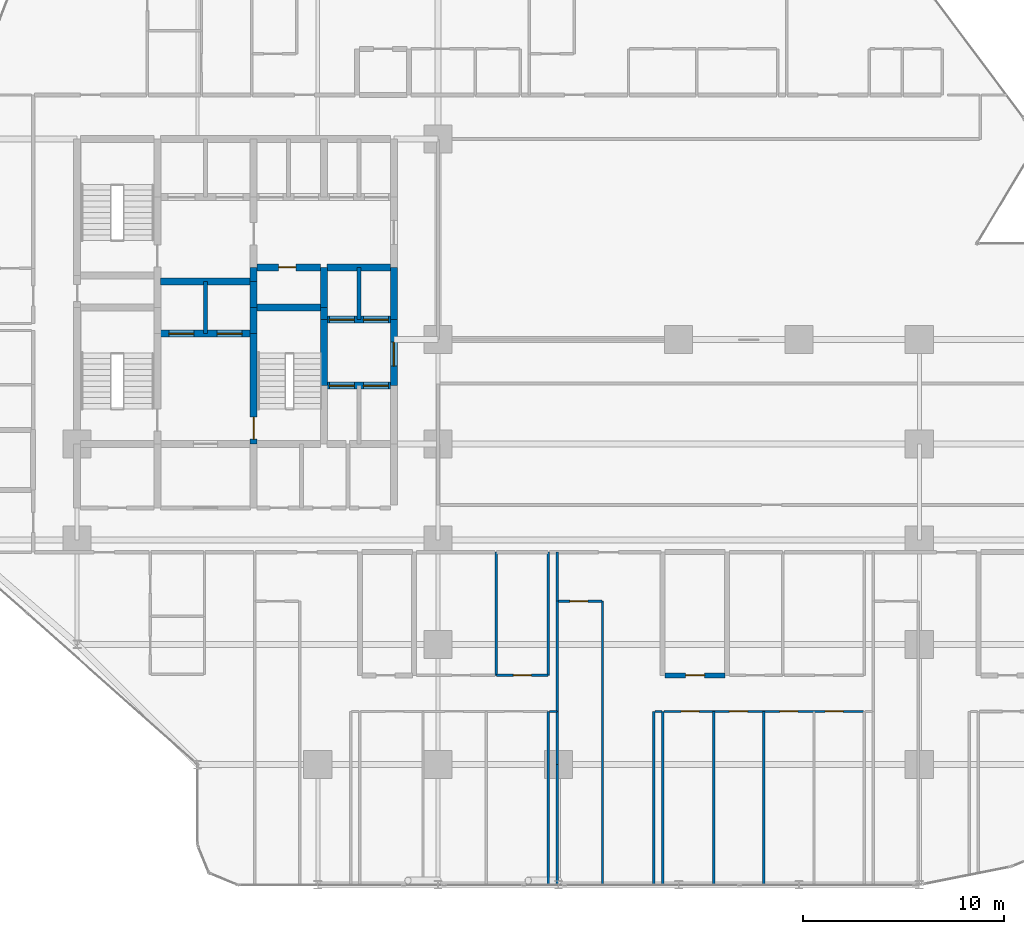
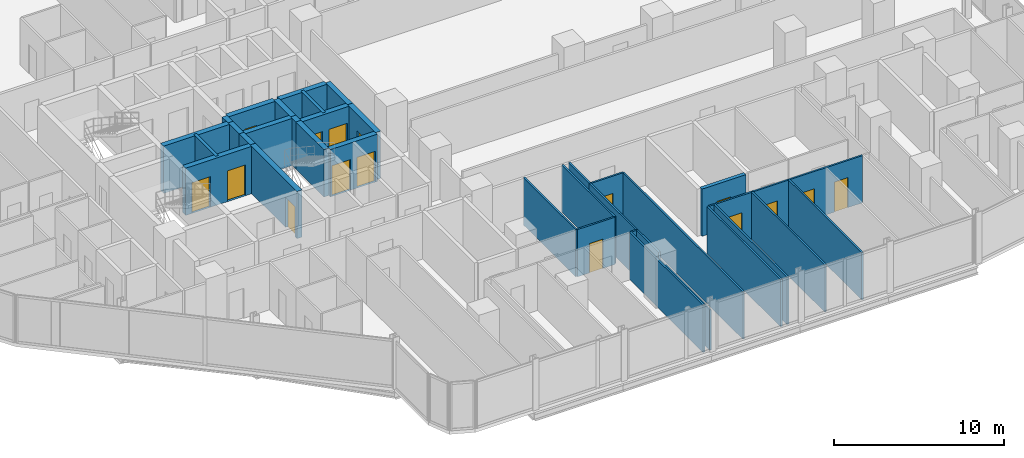
# One storey, part 28 of 33: 36 walls, 16 doors, 16 openings.
"""IFC4 building model written with IfcOpenShell, lengths in metres."""

from ifc_helpers import new_model, si_unit, direction, frame, frame_2d, origin, place, context, subcontext, project, spatial, rectangle, extrude, material, layer, layer_set, type_object, element, fill, save


model = new_model("IFC4")

# Units and contexts
model_context = context("Model", 3, precision=1e-05, world=origin(), true_north=direction((0.0, 1.0)))
body_context = subcontext(model_context, "Body", "Model", "MODEL_VIEW")
ifc_project = project(units=[si_unit("LENGTHUNIT", "METRE"), si_unit("AREAUNIT", "SQUARE_METRE"), si_unit("VOLUMEUNIT", "CUBIC_METRE"), si_unit("PLANEANGLEUNIT", "RADIAN"), si_unit("MASSUNIT", "GRAM", prefix="KILO")], contexts=[model_context])

# Site, building, storey
site_placement = place(None, origin())
site = spatial("IfcSite", under=ifc_project, at=site_placement, CompositionType="ELEMENT")
building_placement = place(site_placement, origin())
building = spatial("IfcBuilding", under=site, at=building_placement, Name="Keshet Zoharim Tower", CompositionType="ELEMENT")
storey_placement = place(building_placement, frame((0.0, 0.0, 35.10009765625)))
storey = spatial("IfcBuildingStorey", under=building, at=storey_placement, Name="L07", CompositionType="ELEMENT", Elevation=35.10009765625)

# Wall, opening, door
ifc_material_1 = material(Name="Concrete C60/75", Category="concrete")
ifc_layer_1 = layer(ifc_material_1, 0.35009765625)
ifc_layer_set_1 = layer_set([ifc_layer_1], Name="Concrete C60/75")
wall_type_1 = type_object("IfcWallType", Name="WL-CORE-350", PredefinedType="SHEAR", material=ifc_layer_set_1)
wall_1_placement = place(storey_placement, frame((23.800048828125, 22.699951171875, 0.0), z_axis=(0.0, 0.0, 1.0), x_axis=(0.0, 1.0, 0.0)))
wall_1 = element("IfcWall", 1, at=wall_1_placement, inside=storey, type_object=wall_type_1, Name="L07 Core Shear Wall 035", PredefinedType="SHEAR", context=body_context, shape_type="SweptSolid", body=[
    extrude(rectangle(XDim=5.5, YDim=0.35009765625, at=frame_2d((2.75, 0.0))), origin(), (0.0, 0.0, 1.0), 3.385009765625),
])
opening_1_placement = place(wall_1_placement, frame((0.235107421875, 0.0, 0.0)))
opening_1 = element("IfcOpeningElement", 2, at=opening_1_placement, cuts=wall_1, Name="Opening D-F611", PredefinedType="OPENING", context=body_context, shape_type="SweptSolid", body=[
    extrude(rectangle(XDim=1.10009765625, YDim=2.14990234375, at=frame_2d((0.550048828125, 1.074951171875))), frame((0.0, 0.18505859375, 0.0), z_axis=(0.0, -1.0, 0.0), x_axis=(1.0, 0.0, 0.0)), (0.0, 0.0, 1.0), 0.3701171875),
])
ifc_material_2 = material(Name="Hardwood Timber", Category="wood")
door_type_1 = type_object("IfcDoorType", Name="DR-FD60-110", OperationType="NOTDEFINED", PredefinedType="DOOR", material=ifc_material_2)
door_1_placement = place(opening_1_placement, frame((1.10009765625, 0.0, 0.0), z_axis=(0.0, 0.0, 1.0), x_axis=(-1.0, 0.0, 0.0)))
door_1 = element("IfcDoor", 3, at=door_1_placement, inside=storey, type_object=door_type_1, Name="L07 Exit Stair ST-03 Fire Door", OperationType="SINGLE_SWING_RIGHT", OverallHeight=2.14990234375, OverallWidth=1.10009765625, PredefinedType="DOOR", context=body_context, shape_type="SweptSolid", body=[
    extrude(rectangle(XDim=1.10009765625, YDim=2.14990234375, at=frame_2d((0.550048828125, 1.074951171875))), frame((0.0, 0.02490234375, 0.0), z_axis=(0.0, -1.0, 0.0), x_axis=(1.0, 0.0, 0.0)), (0.0, 0.0, 1.0), 0.050048828125),
])
fill(opening_1, door_1)

# Walls
for number, where, z_axis, x_axis, name in (
    (4, (23.800048828125, 28.199951171875, 0.0), (0.0, 0.0, 1.0), (0.0, 1.0, 0.0), "L07 Core Shear Wall 036"),
    (5, (23.800048828125, 29.5, 0.0), (0.0, 0.0, 1.0), (0.0, 1.0, 0.0), "L07 Core Shear Wall 037"),
):
    element("IfcWall", number, at=place(storey_placement, frame(where, z_axis=z_axis, x_axis=x_axis)), inside=storey, type_object=wall_type_1, Name=name, PredefinedType="SHEAR", context=body_context, shape_type="SweptSolid", body=[
        extrude(rectangle(XDim=1.300048828125, YDim=0.35009765625, at=frame_2d((0.64990234375, 0.0))), origin(), (0.0, 0.0, 1.0), 3.385009765625),
    ])
wall_2_placement = place(storey_placement, frame((23.800048828125, 30.800048828125, 0.0), z_axis=(0.0, 0.0, 1.0), x_axis=(0.0, 1.0, 0.0)))
element("IfcWall", 6, at=wall_2_placement, inside=storey, type_object=wall_type_1, Name="L07 Core Shear Wall 038", PredefinedType="SHEAR", context=body_context, shape_type="SweptSolid", body=[
    extrude(rectangle(XDim=0.699951171875, YDim=0.35009765625, at=frame_2d((0.35009765625, 0.0))), origin(), (0.0, 0.0, 1.0), 3.385009765625),
])
wall_3_placement = place(storey_placement, frame((27.300048828125, 25.60009765625, 0.0), z_axis=(0.0, 0.0, 1.0), x_axis=(0.0, 1.0, 0.0)))
element("IfcWall", 7, at=wall_3_placement, inside=storey, type_object=wall_type_1, Name="L07 Core Shear Wall 048", PredefinedType="SHEAR", context=body_context, shape_type="SweptSolid", body=[
    extrude(rectangle(XDim=3.2998046875, YDim=0.35009765625, at=frame_2d((1.64990234375, 0.0))), origin(), (0.0, 0.0, 1.0), 3.385009765625),
])
wall_4_placement = place(storey_placement, frame((27.300048828125, 28.89990234375, 0.0), z_axis=(0.0, 0.0, 1.0), x_axis=(0.0, 1.0, 0.0)))
element("IfcWall", 8, at=wall_4_placement, inside=storey, type_object=wall_type_1, Name="L07 Core Shear Wall 049", PredefinedType="SHEAR", context=body_context, shape_type="SweptSolid", body=[
    extrude(rectangle(XDim=0.60009765625, YDim=0.35009765625, at=frame_2d((0.300048828125, 0.0))), origin(), (0.0, 0.0, 1.0), 3.385009765625),
])
wall_5_placement = place(storey_placement, frame((27.300048828125, 29.5, 0.0), z_axis=(0.0, 0.0, 1.0), x_axis=(0.0, 1.0, 0.0)))
element("IfcWall", 9, at=wall_5_placement, inside=storey, type_object=wall_type_1, Name="L07 Core Shear Wall 050", PredefinedType="SHEAR", context=body_context, shape_type="SweptSolid", body=[
    extrude(rectangle(XDim=2.0, YDim=0.35009765625, at=frame_2d((1.0, 0.0))), origin(), (0.0, 0.0, 1.0), 3.385009765625),
])

# Wall, opening, door
wall_6_placement = place(storey_placement, frame((30.800048828125, 25.60009765625, 0.0), z_axis=(0.0, 0.0, 1.0), x_axis=(0.0, 1.0, 0.0)))
wall_6 = element("IfcWall", 10, at=wall_6_placement, inside=storey, type_object=wall_type_1, Name="L07 Core Shear Wall 064", PredefinedType="SHEAR", context=body_context, shape_type="SweptSolid", body=[
    extrude(rectangle(XDim=3.2998046875, YDim=0.35009765625, at=frame_2d((1.64990234375, 0.0))), origin(), (0.0, 0.0, 1.0), 3.385009765625),
])
opening_2_placement = place(wall_6_placement, frame((0.97802734375, 0.0, 0.0)))
opening_2 = element("IfcOpeningElement", 11, at=opening_2_placement, cuts=wall_6, Name="Opening D-F612", PredefinedType="OPENING", context=body_context, shape_type="SweptSolid", body=[
    extrude(rectangle(XDim=1.199951171875, YDim=2.199951171875, at=frame_2d((0.60009765625, 1.10009765625))), frame((0.0, 0.18505859375, 0.0), z_axis=(0.0, -1.0, 0.0), x_axis=(1.0, 0.0, 0.0)), (0.0, 0.0, 1.0), 0.3701171875),
])
door_type_2 = type_object("IfcDoorType", Name="DR-FD60-120", OperationType="NOTDEFINED", PredefinedType="DOOR", material=ifc_material_2)
door_2_placement = place(opening_2_placement, origin())
door_2 = element("IfcDoor", 12, at=door_2_placement, inside=storey, type_object=door_type_2, Name="L07 East Lift Lobby Fire Door", OperationType="SINGLE_SWING_RIGHT", OverallHeight=2.199951171875, OverallWidth=1.199951171875, PredefinedType="DOOR", context=body_context, shape_type="SweptSolid", body=[
    extrude(rectangle(XDim=1.199951171875, YDim=2.199951171875, at=frame_2d((0.60009765625, 1.10009765625))), frame((0.0, 0.02490234375, 0.0), z_axis=(0.0, -1.0, 0.0), x_axis=(1.0, 0.0, 0.0)), (0.0, 0.0, 1.0), 0.050048828125),
])
fill(opening_2, door_2)

# Wall
wall_7_placement = place(storey_placement, frame((30.800048828125, 28.89990234375, 0.0), z_axis=(0.0, 0.0, 1.0), x_axis=(0.0, 1.0, 0.0)))
element("IfcWall", 13, at=wall_7_placement, inside=storey, type_object=wall_type_1, Name="L07 Core Shear Wall 065", PredefinedType="SHEAR", context=body_context, shape_type="SweptSolid", body=[
    extrude(rectangle(XDim=2.60009765625, YDim=0.35009765625, at=frame_2d((1.300048828125, 0.0))), origin(), (0.0, 0.0, 1.0), 3.385009765625),
])

# Wall, openings, doors
wall_8_placement = place(storey_placement, frame((27.4599609375, 25.60009765625, 0.0), z_axis=(0.0, 0.0, 1.0), x_axis=(1.0, 0.0, 0.0)))
wall_8 = element("IfcWall", 14, at=wall_8_placement, inside=storey, type_object=wall_type_1, Name="L07 Core Shear Wall 183", PredefinedType="SHEAR", context=body_context, shape_type="SweptSolid", body=[
    extrude(rectangle(XDim=3.179931640625, YDim=0.35009765625, at=frame_2d((1.58984375, 0.0))), origin(), (0.0, 0.0, 1.0), 3.385009765625),
])
opening_3_placement = place(wall_8_placement, frame((0.1201171875, 0.0, 0.0)))
opening_3 = element("IfcOpeningElement", 15, at=opening_3_placement, cuts=wall_8, Name="Opening LD-01", PredefinedType="OPENING", context=body_context, shape_type="SweptSolid", body=[
    extrude(rectangle(XDim=1.25, YDim=2.199951171875, at=frame_2d((0.625, 1.10009765625))), frame((0.0, 0.18505859375, 0.0), z_axis=(0.0, -1.0, 0.0), x_axis=(1.0, 0.0, 0.0)), (0.0, 0.0, 1.0), 0.3701171875),
])
opening_4_placement = place(wall_8_placement, frame((1.81005859375, 0.0, 0.0)))
opening_4 = element("IfcOpeningElement", 16, at=opening_4_placement, cuts=wall_8, Name="Opening LD-01", PredefinedType="OPENING", context=body_context, shape_type="SweptSolid", body=[
    extrude(rectangle(XDim=1.25, YDim=2.199951171875, at=frame_2d((0.625, 1.10009765625))), frame((0.0, 0.18505859375, 0.0), z_axis=(0.0, -1.0, 0.0), x_axis=(1.0, 0.0, 0.0)), (0.0, 0.0, 1.0), 0.3701171875),
])
ifc_material_3 = material(Name="Steel S355", Category="steel")
door_type_3 = type_object("IfcDoorType", Name="DR-LD01-125", OperationType="DOUBLE_DOOR_SLIDING", PredefinedType="DOOR", material=ifc_material_3)
door_3_placement = place(opening_3_placement, origin())
door_3 = element("IfcDoor", 17, at=door_3_placement, inside=storey, type_object=door_type_3, Name="L07 Passenger Lift Landing Door LF-07", OperationType="DOUBLE_DOOR_SLIDING", OverallHeight=2.199951171875, OverallWidth=1.25, PredefinedType="DOOR", context=body_context, shape_type="SweptSolid", body=[
    extrude(rectangle(XDim=1.25, YDim=2.199951171875, at=frame_2d((0.625, 1.10009765625))), frame((0.0, 0.02490234375, 0.0), z_axis=(0.0, -1.0, 0.0), x_axis=(1.0, 0.0, 0.0)), (0.0, 0.0, 1.0), 0.050048828125),
])
fill(opening_3, door_3)
door_4_placement = place(opening_4_placement, origin())
door_4 = element("IfcDoor", 18, at=door_4_placement, inside=storey, type_object=door_type_3, Name="L07 Passenger Lift Landing Door LF-08", OperationType="DOUBLE_DOOR_SLIDING", OverallHeight=2.199951171875, OverallWidth=1.25, PredefinedType="DOOR", context=body_context, shape_type="SweptSolid", body=[
    extrude(rectangle(XDim=1.25, YDim=2.199951171875, at=frame_2d((0.625, 1.10009765625))), frame((0.0, 0.02490234375, 0.0), z_axis=(0.0, -1.0, 0.0), x_axis=(1.0, 0.0, 0.0)), (0.0, 0.0, 1.0), 0.050048828125),
])
fill(opening_4, door_4)

wall_9_placement = place(storey_placement, frame((19.159912109375, 28.199951171875, 0.0), z_axis=(0.0, 0.0, 1.0), x_axis=(1.0, 0.0, 0.0)))
wall_9 = element("IfcWall", 19, at=wall_9_placement, inside=storey, type_object=wall_type_1, Name="L07 Core Shear Wall 188", PredefinedType="SHEAR", context=body_context, shape_type="SweptSolid", body=[
    extrude(rectangle(XDim=4.47998046875, YDim=0.35009765625, at=frame_2d((2.239990234375, 0.0))), origin(), (0.0, 0.0, 1.0), 3.385009765625),
])
opening_5_placement = place(wall_9_placement, frame((0.4150390625, 0.0, 0.0)))
opening_5 = element("IfcOpeningElement", 20, at=opening_5_placement, cuts=wall_9, Name="Opening LD-01", PredefinedType="OPENING", context=body_context, shape_type="SweptSolid", body=[
    extrude(rectangle(XDim=1.25, YDim=2.199951171875, at=frame_2d((0.625, 1.10009765625))), frame((0.0, 0.18505859375, 0.0), z_axis=(0.0, -1.0, 0.0), x_axis=(1.0, 0.0, 0.0)), (0.0, 0.0, 1.0), 0.3701171875),
])
opening_6_placement = place(wall_9_placement, frame((2.81494140625, 0.0, 0.0)))
opening_6 = element("IfcOpeningElement", 21, at=opening_6_placement, cuts=wall_9, Name="Opening LD-01", PredefinedType="OPENING", context=body_context, shape_type="SweptSolid", body=[
    extrude(rectangle(XDim=1.25, YDim=2.199951171875, at=frame_2d((0.625, 1.10009765625))), frame((0.0, 0.18505859375, 0.0), z_axis=(0.0, -1.0, 0.0), x_axis=(1.0, 0.0, 0.0)), (0.0, 0.0, 1.0), 0.3701171875),
])
door_5_placement = place(opening_5_placement, origin())
door_5 = element("IfcDoor", 22, at=door_5_placement, inside=storey, type_object=door_type_3, Name="L07 Passenger Lift Landing Door LF-09", OperationType="DOUBLE_DOOR_SLIDING", OverallHeight=2.199951171875, OverallWidth=1.25, PredefinedType="DOOR", context=body_context, shape_type="SweptSolid", body=[
    extrude(rectangle(XDim=1.25, YDim=2.199951171875, at=frame_2d((0.625, 1.10009765625))), frame((0.0, 0.02490234375, 0.0), z_axis=(0.0, -1.0, 0.0), x_axis=(1.0, 0.0, 0.0)), (0.0, 0.0, 1.0), 0.050048828125),
])
fill(opening_5, door_5)
door_6_placement = place(opening_6_placement, origin())
door_6 = element("IfcDoor", 23, at=door_6_placement, inside=storey, type_object=door_type_3, Name="L07 Passenger Lift Landing Door LF-10", OperationType="DOUBLE_DOOR_SLIDING", OverallHeight=2.199951171875, OverallWidth=1.25, PredefinedType="DOOR", context=body_context, shape_type="SweptSolid", body=[
    extrude(rectangle(XDim=1.25, YDim=2.199951171875, at=frame_2d((0.625, 1.10009765625))), frame((0.0, 0.02490234375, 0.0), z_axis=(0.0, -1.0, 0.0), x_axis=(1.0, 0.0, 0.0)), (0.0, 0.0, 1.0), 0.050048828125),
])
fill(opening_6, door_6)

wall_10_placement = place(storey_placement, frame((27.4599609375, 28.89990234375, 0.0), z_axis=(0.0, 0.0, 1.0), x_axis=(1.0, 0.0, 0.0)))
wall_10 = element("IfcWall", 24, at=wall_10_placement, inside=storey, type_object=wall_type_1, Name="L07 Core Shear Wall 193", PredefinedType="SHEAR", context=body_context, shape_type="SweptSolid", body=[
    extrude(rectangle(XDim=3.179931640625, YDim=0.35009765625, at=frame_2d((1.58984375, 0.0))), origin(), (0.0, 0.0, 1.0), 3.385009765625),
])
opening_7_placement = place(wall_10_placement, frame((0.1201171875, 0.0, 0.0)))
opening_7 = element("IfcOpeningElement", 25, at=opening_7_placement, cuts=wall_10, Name="Opening LD-01", PredefinedType="OPENING", context=body_context, shape_type="SweptSolid", body=[
    extrude(rectangle(XDim=1.25, YDim=2.199951171875, at=frame_2d((0.625, 1.10009765625))), frame((0.0, 0.18505859375, 0.0), z_axis=(0.0, -1.0, 0.0), x_axis=(1.0, 0.0, 0.0)), (0.0, 0.0, 1.0), 0.3701171875),
])
opening_8_placement = place(wall_10_placement, frame((1.81005859375, 0.0, 0.0)))
opening_8 = element("IfcOpeningElement", 26, at=opening_8_placement, cuts=wall_10, Name="Opening LD-01", PredefinedType="OPENING", context=body_context, shape_type="SweptSolid", body=[
    extrude(rectangle(XDim=1.25, YDim=2.199951171875, at=frame_2d((0.625, 1.10009765625))), frame((0.0, 0.18505859375, 0.0), z_axis=(0.0, -1.0, 0.0), x_axis=(1.0, 0.0, 0.0)), (0.0, 0.0, 1.0), 0.3701171875),
])
door_7_placement = place(opening_7_placement, origin())
door_7 = element("IfcDoor", 27, at=door_7_placement, inside=storey, type_object=door_type_3, Name="L07 Passenger Lift Landing Door LF-05", OperationType="DOUBLE_DOOR_SLIDING", OverallHeight=2.199951171875, OverallWidth=1.25, PredefinedType="DOOR", context=body_context, shape_type="SweptSolid", body=[
    extrude(rectangle(XDim=1.25, YDim=2.199951171875, at=frame_2d((0.625, 1.10009765625))), frame((0.0, 0.02490234375, 0.0), z_axis=(0.0, -1.0, 0.0), x_axis=(1.0, 0.0, 0.0)), (0.0, 0.0, 1.0), 0.050048828125),
])
fill(opening_7, door_7)
door_8_placement = place(opening_8_placement, origin())
door_8 = element("IfcDoor", 28, at=door_8_placement, inside=storey, type_object=door_type_3, Name="L07 Passenger Lift Landing Door LF-06", OperationType="DOUBLE_DOOR_SLIDING", OverallHeight=2.199951171875, OverallWidth=1.25, PredefinedType="DOOR", context=body_context, shape_type="SweptSolid", body=[
    extrude(rectangle(XDim=1.25, YDim=2.199951171875, at=frame_2d((0.625, 1.10009765625))), frame((0.0, 0.02490234375, 0.0), z_axis=(0.0, -1.0, 0.0), x_axis=(1.0, 0.0, 0.0)), (0.0, 0.0, 1.0), 0.050048828125),
])
fill(opening_8, door_8)

# Walls
wall_11_placement = place(storey_placement, frame((23.9599609375, 29.5, 0.0), z_axis=(0.0, 0.0, 1.0), x_axis=(1.0, 0.0, 0.0)))
element("IfcWall", 29, at=wall_11_placement, inside=storey, type_object=wall_type_1, Name="L07 Core Shear Wall 195", PredefinedType="SHEAR", context=body_context, shape_type="SweptSolid", body=[
    extrude(rectangle(XDim=3.179931640625, YDim=0.35009765625, at=frame_2d((1.58984375, 0.0))), origin(), (0.0, 0.0, 1.0), 3.385009765625),
])
wall_12_placement = place(storey_placement, frame((19.159912109375, 30.800048828125, 0.0), z_axis=(0.0, 0.0, 1.0), x_axis=(1.0, 0.0, 0.0)))
element("IfcWall", 30, at=wall_12_placement, inside=storey, type_object=wall_type_1, Name="L07 Core Shear Wall 196", PredefinedType="SHEAR", context=body_context, shape_type="SweptSolid", body=[
    extrude(rectangle(XDim=4.47998046875, YDim=0.35009765625, at=frame_2d((2.239990234375, 0.0))), origin(), (0.0, 0.0, 1.0), 3.385009765625),
])

# Wall, opening, door
wall_13_placement = place(storey_placement, frame((23.9599609375, 31.5, 0.0), z_axis=(0.0, 0.0, 1.0), x_axis=(1.0, 0.0, 0.0)))
wall_13 = element("IfcWall", 31, at=wall_13_placement, inside=storey, type_object=wall_type_1, Name="L07 Core Shear Wall 200", PredefinedType="SHEAR", context=body_context, shape_type="SweptSolid", body=[
    extrude(rectangle(XDim=3.179931640625, YDim=0.35009765625, at=frame_2d((1.58984375, 0.0))), origin(), (0.0, 0.0, 1.0), 3.385009765625),
])
opening_9_placement = place(wall_13_placement, frame((1.093994140625, 0.0, 0.0)))
opening_9 = element("IfcOpeningElement", 32, at=opening_9_placement, cuts=wall_13, Name="Opening D-RS85", PredefinedType="OPENING", context=body_context, shape_type="SweptSolid", body=[
    extrude(rectangle(XDim=0.85009765625, YDim=2.10009765625, at=frame_2d((0.425048828125, 1.050048828125))), frame((0.0, 0.18505859375, 0.0), z_axis=(0.0, -1.0, 0.0), x_axis=(1.0, 0.0, 0.0)), (0.0, 0.0, 1.0), 0.3701171875),
])
door_type_4 = type_object("IfcDoorType", Name="DR-RIS-085", OperationType="NOTDEFINED", PredefinedType="DOOR", material=ifc_material_2)
door_9_placement = place(opening_9_placement, origin())
door_9 = element("IfcDoor", 33, at=door_9_placement, inside=storey, type_object=door_type_4, Name="L07 Telecom Riser Access Cupboard Door", OperationType="SINGLE_SWING_RIGHT", OverallHeight=2.10009765625, OverallWidth=0.85009765625, PredefinedType="DOOR", context=body_context, shape_type="SweptSolid", body=[
    extrude(rectangle(XDim=0.85009765625, YDim=2.10009765625, at=frame_2d((0.425048828125, 1.050048828125))), frame((0.0, 0.02490234375, 0.0), z_axis=(0.0, -1.0, 0.0), x_axis=(1.0, 0.0, 0.0)), (0.0, 0.0, 1.0), 0.050048828125),
])
fill(opening_9, door_9)

# Walls
wall_14_placement = place(storey_placement, frame((27.4599609375, 31.5, 0.0), z_axis=(0.0, 0.0, 1.0), x_axis=(1.0, 0.0, 0.0)))
element("IfcWall", 34, at=wall_14_placement, inside=storey, type_object=wall_type_1, Name="L07 Core Shear Wall 201", PredefinedType="SHEAR", context=body_context, shape_type="SweptSolid", body=[
    extrude(rectangle(XDim=3.179931640625, YDim=0.35009765625, at=frame_2d((1.58984375, 0.0))), origin(), (0.0, 0.0, 1.0), 3.385009765625),
])
ifc_material_4 = material(Name="Concrete C50/60", Category="concrete")
ifc_layer_2 = layer(ifc_material_4, 0.199951171875)
ifc_layer_set_2 = layer_set([ifc_layer_2], Name="Concrete C50/60")
wall_type_2 = type_object("IfcWallType", Name="WL-FIRE-200", PredefinedType="STANDARD", material=ifc_layer_set_2)
for number, where, z_axis, x_axis, name in (
    (35, (21.39990234375, 28.199951171875, 0.0), (0.0, 0.0, 1.0), (0.0, 1.0, 0.0), "L07 Interior Wall 030"),
    (36, (29.050048828125, 28.89990234375, 0.0), (0.0, 0.0, 1.0), (0.0, 1.0, 0.0), "L07 Interior Wall 058"),
):
    element("IfcWall", number, at=place(storey_placement, frame(where, z_axis=z_axis, x_axis=x_axis)), inside=storey, type_object=wall_type_2, Name=name, PredefinedType="STANDARD", context=body_context, shape_type="SweptSolid", body=[
        extrude(rectangle(XDim=2.60009765625, YDim=0.199951171875, at=frame_2d((1.300048828125, 0.0))), origin(), (0.0, 0.0, 1.0), 3.385009765625),
    ])

# Wall, opening, door
ifc_layer_3 = layer(ifc_material_4, 0.25)
ifc_layer_set_3 = layer_set([ifc_layer_3], Name="Concrete C50/60")
wall_type_3 = type_object("IfcWallType", Name="WL-MAMAD-250", PredefinedType="STANDARD", material=ifc_layer_set_3)
wall_15_placement = place(storey_placement, frame((44.330078125, 11.14990234375, 0.0), z_axis=(0.0, 0.0, 1.0), x_axis=(1.0, 0.0, 0.0)))
wall_15 = element("IfcWall", 37, at=wall_15_placement, inside=storey, type_object=wall_type_3, Name="L07 Interior Wall 140", PredefinedType="STANDARD", context=body_context, shape_type="SweptSolid", body=[
    extrude(rectangle(XDim=2.972900390625, YDim=0.25, at=frame_2d((1.486328125, 0.0))), origin(), (0.0, 0.0, 1.0), 3.385009765625),
])
opening_10_placement = place(wall_15_placement, frame((1.010986328125, 0.0, 0.0)))
opening_10 = element("IfcOpeningElement", 38, at=opening_10_placement, cuts=wall_15, Name="Opening D-F695", PredefinedType="OPENING", context=body_context, shape_type="SweptSolid", body=[
    extrude(rectangle(XDim=0.949951171875, YDim=2.14990234375, at=frame_2d((0.47509765625, 1.074951171875))), frame((0.0, 0.135009765625, 0.0), z_axis=(0.0, -1.0, 0.0), x_axis=(1.0, 0.0, 0.0)), (0.0, 0.0, 1.0), 0.27001953125),
])
door_type_5 = type_object("IfcDoorType", Name="DR-FD60-095", OperationType="NOTDEFINED", PredefinedType="DOOR", material=ifc_material_2)
door_10_placement = place(opening_10_placement, origin())
door_10 = element("IfcDoor", 39, at=door_10_placement, inside=storey, type_object=door_type_5, Name="Apartment 0703 Study and Shelter Room Door", OperationType="SINGLE_SWING_LEFT", OverallHeight=2.14990234375, OverallWidth=0.949951171875, PredefinedType="DOOR", context=body_context, shape_type="SweptSolid", body=[
    extrude(rectangle(XDim=0.949951171875, YDim=2.14990234375, at=frame_2d((0.47509765625, 1.074951171875))), frame((0.0, 0.02490234375, 0.0), z_axis=(0.0, -1.0, 0.0), x_axis=(1.0, 0.0, 0.0)), (0.0, 0.0, 1.0), 0.050048828125),
])
fill(opening_10, door_10)

# Walls
ifc_material_5 = material(Name="Gypsum Plasterboard", Category="gypsum")
ifc_layer_4 = layer(ifc_material_5, 0.1201171875)
ifc_layer_set_4 = layer_set([ifc_layer_4], Name="Gypsum Plasterboard")
wall_type_4 = type_object("IfcWallType", Name="WL-PART-120", PredefinedType="PARTITIONING", material=ifc_layer_set_4)
wall_16_placement = place(storey_placement, frame((38.5, 0.7099609375, 0.0), z_axis=(0.0, 0.0, 1.0), x_axis=(0.0, 1.0, 0.0)))
element("IfcWall", 40, at=wall_16_placement, inside=storey, type_object=wall_type_4, Name="L07 Interior Wall 083", PredefinedType="PARTITIONING", context=body_context, shape_type="SweptSolid", body=[
    extrude(rectangle(XDim=8.64013671875, YDim=0.1201171875, at=frame_2d((4.320068359375, 0.0))), origin(), (0.0, 0.0, 1.0), 3.385009765625),
])
wall_17_placement = place(storey_placement, frame((38.949951171875, 0.7099609375, 0.0), z_axis=(0.0, 0.0, 1.0), x_axis=(0.0, 1.0, 0.0)))
element("IfcWall", 41, at=wall_17_placement, inside=storey, type_object=wall_type_4, Name="L07 Interior Wall 085", PredefinedType="PARTITIONING", context=body_context, shape_type="SweptSolid", body=[
    extrude(rectangle(XDim=5.989990234375, YDim=0.1201171875, at=frame_2d((2.9951171875, 0.0))), origin(), (0.0, 0.0, 1.0), 2.885009765625),
])
wall_18_placement = place(storey_placement, frame((38.949951171875, 9.35009765625, 0.0), z_axis=(0.0, 0.0, 1.0), x_axis=(0.0, 1.0, 0.0)))
element("IfcWall", 42, at=wall_18_placement, inside=storey, type_object=wall_type_4, Name="L07 Interior Wall 086", PredefinedType="PARTITIONING", context=body_context, shape_type="SweptSolid", body=[
    extrude(rectangle(XDim=5.5, YDim=0.1201171875, at=frame_2d((2.75, 0.0))), origin(), (0.0, 0.0, 1.0), 3.385009765625),
])
wall_19_placement = place(storey_placement, frame((38.949951171875, 14.85009765625, 0.0), z_axis=(0.0, 0.0, 1.0), x_axis=(0.0, 1.0, 0.0)))
element("IfcWall", 43, at=wall_19_placement, inside=storey, type_object=wall_type_4, Name="L07 Interior Wall 087", PredefinedType="PARTITIONING", context=body_context, shape_type="SweptSolid", body=[
    extrude(rectangle(XDim=2.449951171875, YDim=0.1201171875, at=frame_2d((1.22509765625, 0.0))), origin(), (0.0, 0.0, 1.0), 3.385009765625),
])
wall_20_placement = place(storey_placement, frame((41.199951171875, 0.7099609375, 0.0), z_axis=(0.0, 0.0, 1.0), x_axis=(0.0, 1.0, 0.0)))
element("IfcWall", 44, at=wall_20_placement, inside=storey, type_object=wall_type_4, Name="L07 Interior Wall 089", PredefinedType="PARTITIONING", context=body_context, shape_type="SweptSolid", body=[
    extrude(rectangle(XDim=14.14013671875, YDim=0.1201171875, at=frame_2d((7.070068359375, 0.0))), origin(), (0.0, 0.0, 1.0), 3.385009765625),
])
for number, where, z_axis, x_axis, name in (
    (45, (43.75, 0.7099609375, 0.0), (0.0, 0.0, 1.0), (0.0, 1.0, 0.0), "L07 Interior Wall 093"),
    (46, (44.199951171875, 0.7099609375, 0.0), (0.0, 0.0, 1.0), (0.0, 1.0, 0.0), "L07 Interior Wall 094"),
    (47, (46.75, 0.7099609375, 0.0), (0.0, 0.0, 1.0), (0.0, 1.0, 0.0), "L07 Interior Wall 098"),
    (48, (49.25, 0.7099609375, 0.0), (0.0, 0.0, 1.0), (0.0, 1.0, 0.0), "L07 Interior Wall 101"),
):
    element("IfcWall", number, at=place(storey_placement, frame(where, z_axis=z_axis, x_axis=x_axis)), inside=storey, type_object=wall_type_4, Name=name, PredefinedType="PARTITIONING", context=body_context, shape_type="SweptSolid", body=[
        extrude(rectangle(XDim=8.64013671875, YDim=0.1201171875, at=frame_2d((4.320068359375, 0.0))), origin(), (0.0, 0.0, 1.0), 3.385009765625),
    ])
for number, where, z_axis, x_axis, name in (
    (49, (38.56494140625, 9.35009765625, 0.0), (0.0, 0.0, 1.0), (1.0, 0.0, 0.0), "L07 Interior Wall 131"),
    (50, (43.81494140625, 9.35009765625, 0.0), (0.0, 0.0, 1.0), (1.0, 0.0, 0.0), "L07 Interior Wall 132"),
):
    element("IfcWall", number, at=place(storey_placement, frame(where, z_axis=z_axis, x_axis=x_axis)), inside=storey, type_object=wall_type_4, Name=name, PredefinedType="PARTITIONING", context=body_context, shape_type="SweptSolid", body=[
        extrude(rectangle(XDim=0.360107421875, YDim=0.1201171875, at=frame_2d((0.18017578125, 0.0))), origin(), (0.0, 0.0, 1.0), 3.385009765625),
    ])

# Wall, openings, doors
wall_21_placement = place(storey_placement, frame((44.264892578125, 9.35009765625, 0.0), z_axis=(0.0, 0.0, 1.0), x_axis=(1.0, 0.0, 0.0)))
wall_21 = element("IfcWall", 51, at=wall_21_placement, inside=storey, type_object=wall_type_4, Name="L07 Interior Wall 133", PredefinedType="PARTITIONING", context=body_context, shape_type="SweptSolid", body=[
    extrude(rectangle(XDim=9.9501953125, YDim=0.1201171875, at=frame_2d((4.97509765625, 0.0))), origin(), (0.0, 0.0, 1.0), 3.385009765625),
])
opening_11_placement = place(wall_21_placement, frame((0.861083984375, 0.0, 0.0)))
opening_11 = element("IfcOpeningElement", 52, at=opening_11_placement, cuts=wall_21, Name="Opening D-IN90", PredefinedType="OPENING", context=body_context, shape_type="SweptSolid", body=[
    extrude(rectangle(XDim=0.89990234375, YDim=2.14990234375, at=frame_2d((0.449951171875, 1.074951171875))), frame((0.0, 0.070068359375, 0.0), z_axis=(0.0, -1.0, 0.0), x_axis=(1.0, 0.0, 0.0)), (0.0, 0.0, 1.0), 0.14013671875),
])
opening_12_placement = place(wall_21_placement, frame((3.27001953125, 0.0, 0.0)))
opening_12 = element("IfcOpeningElement", 53, at=opening_12_placement, cuts=wall_21, Name="Opening D-IN90", PredefinedType="OPENING", context=body_context, shape_type="SweptSolid", body=[
    extrude(rectangle(XDim=0.89990234375, YDim=2.14990234375, at=frame_2d((0.449951171875, 1.074951171875))), frame((0.0, 0.070068359375, 0.0), z_axis=(0.0, -1.0, 0.0), x_axis=(1.0, 0.0, 0.0)), (0.0, 0.0, 1.0), 0.14013671875),
])
opening_13_placement = place(wall_21_placement, frame((5.780029296875, 0.0, 0.0)))
opening_13 = element("IfcOpeningElement", 54, at=opening_13_placement, cuts=wall_21, Name="Opening D-IN90", PredefinedType="OPENING", context=body_context, shape_type="SweptSolid", body=[
    extrude(rectangle(XDim=0.89990234375, YDim=2.14990234375, at=frame_2d((0.449951171875, 1.074951171875))), frame((0.0, 0.070068359375, 0.0), z_axis=(0.0, -1.0, 0.0), x_axis=(1.0, 0.0, 0.0)), (0.0, 0.0, 1.0), 0.14013671875),
])
opening_14_placement = place(wall_21_placement, frame((8.041015625, 0.0, 0.0)))
opening_14 = element("IfcOpeningElement", 55, at=opening_14_placement, cuts=wall_21, Name="Opening D-IN90", PredefinedType="OPENING", context=body_context, shape_type="SweptSolid", body=[
    extrude(rectangle(XDim=0.89990234375, YDim=2.14990234375, at=frame_2d((0.449951171875, 1.074951171875))), frame((0.0, 0.070068359375, 0.0), z_axis=(0.0, -1.0, 0.0), x_axis=(1.0, 0.0, 0.0)), (0.0, 0.0, 1.0), 0.14013671875),
])
door_type_6 = type_object("IfcDoorType", Name="DR-INT-090", OperationType="NOTDEFINED", PredefinedType="DOOR", material=ifc_material_2)
door_11_placement = place(opening_11_placement, origin())
door_11 = element("IfcDoor", 56, at=door_11_placement, inside=storey, type_object=door_type_6, Name="Apartment 0703 Bedroom 1 Door", OperationType="SINGLE_SWING_LEFT", OverallHeight=2.14990234375, OverallWidth=0.89990234375, PredefinedType="DOOR", context=body_context, shape_type="SweptSolid", body=[
    extrude(rectangle(XDim=0.89990234375, YDim=2.14990234375, at=frame_2d((0.449951171875, 1.074951171875))), frame((0.0, 0.02490234375, 0.0), z_axis=(0.0, -1.0, 0.0), x_axis=(1.0, 0.0, 0.0)), (0.0, 0.0, 1.0), 0.050048828125),
])
fill(opening_11, door_11)
door_12_placement = place(opening_12_placement, origin())
door_12 = element("IfcDoor", 57, at=door_12_placement, inside=storey, type_object=door_type_6, Name="Apartment 0703 Bedroom 2 Door", OperationType="SINGLE_SWING_RIGHT", OverallHeight=2.14990234375, OverallWidth=0.89990234375, PredefinedType="DOOR", context=body_context, shape_type="SweptSolid", body=[
    extrude(rectangle(XDim=0.89990234375, YDim=2.14990234375, at=frame_2d((0.449951171875, 1.074951171875))), frame((0.0, 0.02490234375, 0.0), z_axis=(0.0, -1.0, 0.0), x_axis=(1.0, 0.0, 0.0)), (0.0, 0.0, 1.0), 0.050048828125),
])
fill(opening_12, door_12)
door_13_placement = place(opening_13_placement, origin())
door_13 = element("IfcDoor", 58, at=door_13_placement, inside=storey, type_object=door_type_6, Name="Apartment 0703 Bedroom 3 Door", OperationType="SINGLE_SWING_LEFT", OverallHeight=2.14990234375, OverallWidth=0.89990234375, PredefinedType="DOOR", context=body_context, shape_type="SweptSolid", body=[
    extrude(rectangle(XDim=0.89990234375, YDim=2.14990234375, at=frame_2d((0.449951171875, 1.074951171875))), frame((0.0, 0.02490234375, 0.0), z_axis=(0.0, -1.0, 0.0), x_axis=(1.0, 0.0, 0.0)), (0.0, 0.0, 1.0), 0.050048828125),
])
fill(opening_13, door_13)
door_14_placement = place(opening_14_placement, origin())
door_14 = element("IfcDoor", 59, at=door_14_placement, inside=storey, type_object=door_type_6, Name="Apartment 0703 Bedroom 4 Door", OperationType="SINGLE_SWING_RIGHT", OverallHeight=2.14990234375, OverallWidth=0.89990234375, PredefinedType="DOOR", context=body_context, shape_type="SweptSolid", body=[
    extrude(rectangle(XDim=0.89990234375, YDim=2.14990234375, at=frame_2d((0.449951171875, 1.074951171875))), frame((0.0, 0.02490234375, 0.0), z_axis=(0.0, -1.0, 0.0), x_axis=(1.0, 0.0, 0.0)), (0.0, 0.0, 1.0), 0.050048828125),
])
fill(opening_14, door_14)

# Wall, opening, door
wall_22_placement = place(storey_placement, frame((39.014892578125, 14.85009765625, 0.0), z_axis=(0.0, 0.0, 1.0), x_axis=(1.0, 0.0, 0.0)))
wall_22 = element("IfcWall", 60, at=wall_22_placement, inside=storey, type_object=wall_type_4, Name="L07 Interior Wall 149", PredefinedType="PARTITIONING", context=body_context, shape_type="SweptSolid", body=[
    extrude(rectangle(XDim=2.16015625, YDim=0.1201171875, at=frame_2d((1.080078125, 0.0))), origin(), (0.0, 0.0, 1.0), 3.385009765625),
])
opening_15_placement = place(wall_22_placement, frame((0.552978515625, 0.0, 0.0)))
opening_15 = element("IfcOpeningElement", 61, at=opening_15_placement, cuts=wall_22, Name="Opening D-IN90", PredefinedType="OPENING", context=body_context, shape_type="SweptSolid", body=[
    extrude(rectangle(XDim=0.89990234375, YDim=2.14990234375, at=frame_2d((0.449951171875, 1.074951171875))), frame((0.0, 0.070068359375, 0.0), z_axis=(0.0, -1.0, 0.0), x_axis=(1.0, 0.0, 0.0)), (0.0, 0.0, 1.0), 0.14013671875),
])
door_15_placement = place(opening_15_placement, origin())
door_15 = element("IfcDoor", 62, at=door_15_placement, inside=storey, type_object=door_type_6, Name="Apartment 0703 Formal Dining Room Door", OperationType="SINGLE_SWING_RIGHT", OverallHeight=2.14990234375, OverallWidth=0.89990234375, PredefinedType="DOOR", context=body_context, shape_type="SweptSolid", body=[
    extrude(rectangle(XDim=0.89990234375, YDim=2.14990234375, at=frame_2d((0.449951171875, 1.074951171875))), frame((0.0, 0.02490234375, 0.0), z_axis=(0.0, -1.0, 0.0), x_axis=(1.0, 0.0, 0.0)), (0.0, 0.0, 1.0), 0.050048828125),
])
fill(opening_15, door_15)

# Walls
wall_23_placement = place(storey_placement, frame((38.949951171875, 6.699951171875, 0.0), z_axis=(0.0, 0.0, 1.0), x_axis=(0.0, 1.0, 0.0)))
element("IfcWall", 63, at=wall_23_placement, inside=storey, type_object=wall_type_4, Name="L07 Interior Wall 085 Part 2", PredefinedType="PARTITIONING", context=body_context, shape_type="SweptSolid", body=[
    extrude(rectangle(XDim=2.650146484375, YDim=0.1201171875, at=frame_2d((1.3251953125, 0.0))), origin(), (0.0, 0.0, 1.0), 3.385009765625),
])
ifc_layer_5 = layer(ifc_material_5, 0.1201171875)
ifc_layer_set_5 = layer_set([ifc_layer_5], Name="Gypsum Plasterboard")
wall_type_5 = type_object("IfcWallType", Name="WL-WET-120", PredefinedType="PARTITIONING", material=ifc_layer_set_5)
for number, where, z_axis, x_axis, name in (
    (64, (35.89990234375, 11.14990234375, 0.0), (0.0, 0.0, 1.0), (0.0, 1.0, 0.0), "L07 Interior Wall 077"),
    (65, (38.5, 11.14990234375, 0.0), (0.0, 0.0, 1.0), (0.0, 1.0, 0.0), "L07 Interior Wall 084"),
):
    element("IfcWall", number, at=place(storey_placement, frame(where, z_axis=z_axis, x_axis=x_axis)), inside=storey, type_object=wall_type_5, Name=name, PredefinedType="PARTITIONING", context=body_context, shape_type="SweptSolid", body=[
        extrude(rectangle(XDim=6.150146484375, YDim=0.1201171875, at=frame_2d((3.0751953125, 0.0))), origin(), (0.0, 0.0, 1.0), 3.385009765625),
    ])

# Wall, opening, door
wall_24_placement = place(storey_placement, frame((35.925048828125, 11.14990234375, 0.0), z_axis=(0.0, 0.0, 1.0), x_axis=(1.0, 0.0, 0.0)))
wall_24 = element("IfcWall", 66, at=wall_24_placement, inside=storey, type_object=wall_type_5, Name="L07 Interior Wall 139", PredefinedType="PARTITIONING", context=body_context, shape_type="SweptSolid", body=[
    extrude(rectangle(XDim=2.550048828125, YDim=0.1201171875, at=frame_2d((1.27490234375, 0.0))), origin(), (0.0, 0.0, 1.0), 3.385009765625),
])
opening_16_placement = place(wall_24_placement, frame((0.824951171875, 0.0, 0.0)))
opening_16 = element("IfcOpeningElement", 67, at=opening_16_placement, cuts=wall_24, Name="Opening D-WT90", PredefinedType="OPENING", context=body_context, shape_type="SweptSolid", body=[
    extrude(rectangle(XDim=0.89990234375, YDim=2.10009765625, at=frame_2d((0.449951171875, 1.050048828125))), frame((0.0, 0.070068359375, 0.0), z_axis=(0.0, -1.0, 0.0), x_axis=(1.0, 0.0, 0.0)), (0.0, 0.0, 1.0), 0.14013671875),
])
door_type_7 = type_object("IfcDoorType", Name="DR-WET-090", OperationType="NOTDEFINED", PredefinedType="DOOR", material=ifc_material_2)
door_16_placement = place(opening_16_placement, origin())
door_16 = element("IfcDoor", 68, at=door_16_placement, inside=storey, type_object=door_type_7, Name="Apartment 0702 Bathroom Door", OperationType="SINGLE_SWING_RIGHT", OverallHeight=2.10009765625, OverallWidth=0.89990234375, PredefinedType="DOOR", context=body_context, shape_type="SweptSolid", body=[
    extrude(rectangle(XDim=0.89990234375, YDim=2.10009765625, at=frame_2d((0.449951171875, 1.050048828125))), frame((0.0, 0.02490234375, 0.0), z_axis=(0.0, -1.0, 0.0), x_axis=(1.0, 0.0, 0.0)), (0.0, 0.0, 1.0), 0.050048828125),
])
fill(opening_16, door_16)

save(model, "model.ifc")
